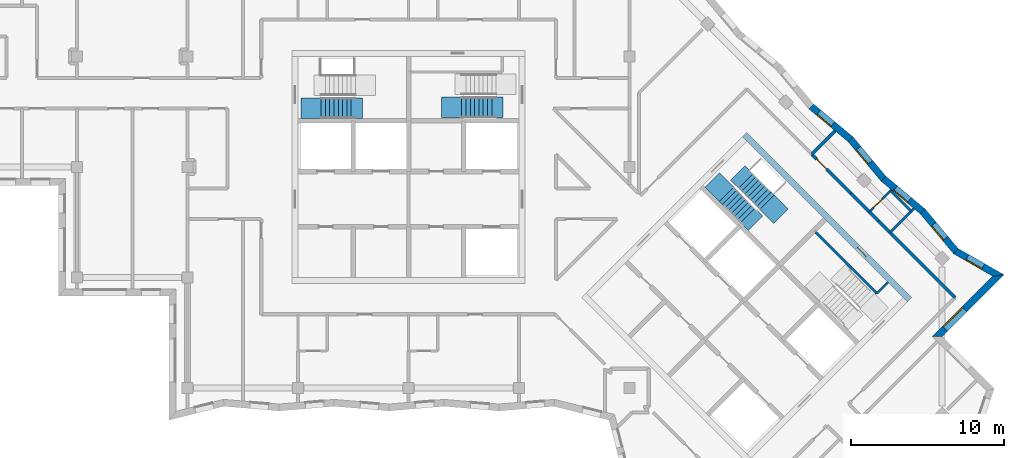
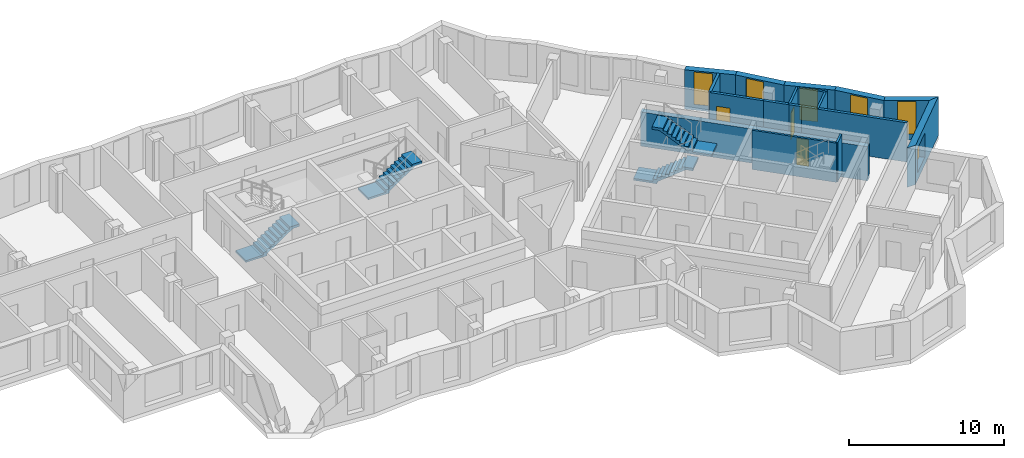
# One storey, part 8 of 13: 17 walls, 6 windows, 4 stair flights, 3 doors, 9 openings, 3 elements without a shape of their own.
"""IFC4 building model written with IfcOpenShell, lengths in metres."""

from ifc_helpers import new_model, si_unit, direction, frame, frame_2d, origin, place, context, subcontext, project, spatial, polyline, rectangle, outline, extrude, material, layer, layer_set, type_object, element, fill, aggregate, save


model = new_model("IFC4")

# Units and contexts
model_context = context("Model", 3, precision=1e-05, world=origin(), true_north=direction((0.0, 1.0)))
body_context = subcontext(model_context, "Body", "Model", "MODEL_VIEW")
ifc_project = project(units=[si_unit("LENGTHUNIT", "METRE"), si_unit("AREAUNIT", "SQUARE_METRE"), si_unit("VOLUMEUNIT", "CUBIC_METRE"), si_unit("PLANEANGLEUNIT", "RADIAN"), si_unit("MASSUNIT", "GRAM", prefix="KILO")], contexts=[model_context])

# Site, building, storey
site_placement = place(None, origin())
site = spatial("IfcSite", under=ifc_project, at=site_placement, CompositionType="ELEMENT")
building_placement = place(site_placement, origin())
building = spatial("IfcBuilding", under=site, at=building_placement, Name="Windrow Commons", CompositionType="ELEMENT")
storey_placement = place(building_placement, frame((0.0, 0.0, 243.8)))
storey = spatial("IfcBuildingStorey", under=building, at=storey_placement, Name="L66", CompositionType="ELEMENT", Elevation=243.8)

# Wall, opening, window
ifc_material_1 = material(Name="Brick masonry, red clay brick", Category="masonry")
ifc_layer_1 = layer(ifc_material_1, 0.45)
ifc_layer_set_1 = layer_set([ifc_layer_1], Name="Brick facade wall 450")
wall_type_1 = type_object("IfcWallType", Name="Brick facade wall 450", PredefinedType="SOLIDWALL", material=ifc_layer_set_1)
wall_1_placement = place(storey_placement, frame((99.2465, 46.5442, 0.0), z_axis=(0.0, 0.0, 1.0), x_axis=(0.7071067812, 0.7071067812, 0.0)))
wall_1 = element("IfcWall", 1, at=wall_1_placement, inside=storey, type_object=wall_type_1, Name="Brick facade wall L66 6", PredefinedType="SOLIDWALL", context=body_context, shape_type="SweptSolid", body=[
    extrude(outline(polyline([(0.225, -0.225), (5.925, -0.225), (5.3371, 0.225), (-0.225, 0.225), (0.225, -0.225)])), origin(), (0.0, 0.0, 1.0), 3.1),
])
opening_1_placement = place(wall_1_placement, frame((0.7125, 0.0, 0.6)))
opening_1 = element("IfcOpeningElement", 2, at=opening_1_placement, cuts=wall_1, Name="Opening W1L", PredefinedType="OPENING", context=body_context, shape_type="SweptSolid", body=[
    extrude(rectangle(XDim=1.8, YDim=1.9, at=frame_2d((0.9, 0.95))), frame((0.0, 0.235, 0.0), z_axis=(0.0, -1.0, 0.0), x_axis=(1.0, 0.0, 0.0)), (0.0, 0.0, 1.0), 0.47),
])
ifc_material_2 = material(Name="Clear float glass in anodised aluminium frame", Category="aluminium")
window_type_1 = type_object("IfcWindowType", Name="Window W1L bedroom 1800x1900", PartitioningType="SINGLE_PANEL", PredefinedType="WINDOW", material=ifc_material_2)
window_1_placement = place(opening_1_placement, origin())
window_1 = element("IfcWindow", 3, at=window_1_placement, inside=storey, type_object=window_type_1, Name="Window L66 6.1", OverallHeight=1.9, OverallWidth=1.8, PartitioningType="SINGLE_PANEL", PredefinedType="WINDOW", context=body_context, shape_type="SweptSolid", body=[
    extrude(rectangle(XDim=1.8, YDim=1.9, at=frame_2d((0.9, 0.95))), frame((0.0, 0.205, 0.0), z_axis=(0.0, -1.0, 0.0), x_axis=(1.0, 0.0, 0.0)), (0.0, 0.0, 1.0), 0.06),
])
fill(opening_1, window_1)

wall_2_placement = place(storey_placement, frame((103.2282, 50.5259, 0.0), z_axis=(0.0, 0.0, 1.0), x_axis=(-0.8672062632, 0.4979490909, 0.0)))
wall_2 = element("IfcWall", 4, at=wall_2_placement, inside=storey, type_object=wall_type_1, Name="Brick facade wall L66 7", PredefinedType="SOLIDWALL", context=body_context, shape_type="SweptSolid", body=[
    extrude(outline(polyline([(-0.294, -0.225), (3.1526, -0.225), (3.2331, 0.225), (0.294, 0.225), (-0.294, -0.225)])), origin(), (0.0, 0.0, 1.0), 3.1),
])
opening_2_placement = place(wall_2_placement, frame((1.1434, 0.0, 0.45)))
opening_2 = element("IfcOpeningElement", 5, at=opening_2_placement, cuts=wall_2, Name="Opening W7F", PredefinedType="OPENING", context=body_context, shape_type="SweptSolid", body=[
    extrude(rectangle(XDim=1.2, YDim=2.55, at=frame_2d((0.6, 1.275))), frame((0.0, 0.235, 0.0), z_axis=(0.0, -1.0, 0.0), x_axis=(1.0, 0.0, 0.0)), (0.0, 0.0, 1.0), 0.47),
])
ifc_material_3 = material(Name="Clear float glass in anodised aluminium frame", Category="aluminium")
window_type_2 = type_object("IfcWindowType", Name="Window W7 notch 1200x2550", PartitioningType="SINGLE_PANEL", PredefinedType="WINDOW", material=ifc_material_3)
window_2_placement = place(opening_2_placement, origin())
window_2 = element("IfcWindow", 6, at=window_2_placement, inside=storey, type_object=window_type_2, Name="Window L66 7.1", OverallHeight=2.55, OverallWidth=1.2, PartitioningType="SINGLE_PANEL", PredefinedType="WINDOW", context=body_context, shape_type="SweptSolid", body=[
    extrude(rectangle(XDim=1.2, YDim=2.55, at=frame_2d((0.6, 1.275))), frame((0.0, 0.205, 0.0), z_axis=(0.0, -1.0, 0.0), x_axis=(1.0, 0.0, 0.0)), (0.0, 0.0, 1.0), 0.06),
])
fill(opening_2, window_2)

wall_3_placement = place(storey_placement, frame((100.4593, 52.1158, 0.0), z_axis=(0.0, 0.0, 1.0), x_axis=(-0.640760852, 0.767740536, 0.0)))
wall_3 = element("IfcWall", 7, at=wall_3_placement, inside=storey, type_object=wall_type_1, Name="Brick facade wall L66 8", PredefinedType="SOLIDWALL", context=body_context, shape_type="SweptSolid", body=[
    extrude(outline(polyline([(0.0403, -0.225), (3.3807, -0.225), (3.3402, 0.225), (-0.0403, 0.225), (0.0403, -0.225)])), origin(), (0.0, 0.0, 1.0), 3.1),
])
opening_3_placement = place(wall_3_placement, frame((1.0701, 0.0, 0.45)))
opening_3 = element("IfcOpeningElement", 8, at=opening_3_placement, cuts=wall_3, Name="Opening W7F", PredefinedType="OPENING", context=body_context, shape_type="SweptSolid", body=[
    extrude(rectangle(XDim=1.2, YDim=2.55, at=frame_2d((0.6, 1.275))), frame((0.0, 0.235, 0.0), z_axis=(0.0, -1.0, 0.0), x_axis=(1.0, 0.0, 0.0)), (0.0, 0.0, 1.0), 0.47),
])
window_3_placement = place(opening_3_placement, origin())
window_3 = element("IfcWindow", 9, at=window_3_placement, inside=storey, type_object=window_type_2, Name="Window L66 8.1", OverallHeight=2.55, OverallWidth=1.2, PartitioningType="SINGLE_PANEL", PredefinedType="WINDOW", context=body_context, shape_type="SweptSolid", body=[
    extrude(rectangle(XDim=1.2, YDim=2.55, at=frame_2d((0.6, 1.275))), frame((0.0, 0.205, 0.0), z_axis=(0.0, -1.0, 0.0), x_axis=(1.0, 0.0, 0.0)), (0.0, 0.0, 1.0), 0.06),
])
fill(opening_3, window_3)

wall_4_placement = place(storey_placement, frame((98.3061, 54.6957, 0.0), z_axis=(0.0, 0.0, 1.0), x_axis=(-0.7677450318, 0.6407554652, 0.0)))
wall_4 = element("IfcWall", 10, at=wall_4_placement, inside=storey, type_object=wall_type_1, Name="Brick facade wall L66 9", PredefinedType="SOLIDWALL", context=body_context, shape_type="SweptSolid", body=[
    extrude(outline(polyline([(-0.0203, -0.225), (3.3202, -0.225), (3.3608, 0.225), (0.0203, 0.225), (-0.0203, -0.225)])), origin(), (0.0, 0.0, 1.0), 3.1),
])
opening_4_placement = place(wall_4_placement, frame((1.1444, 0.0, 0.45)))
opening_4 = element("IfcOpeningElement", 11, at=opening_4_placement, cuts=wall_4, Name="Opening W7F", PredefinedType="OPENING", context=body_context, shape_type="SweptSolid", body=[
    extrude(rectangle(XDim=1.2, YDim=2.55, at=frame_2d((0.6, 1.275))), frame((0.0, 0.235, 0.0), z_axis=(0.0, -1.0, 0.0), x_axis=(1.0, 0.0, 0.0)), (0.0, 0.0, 1.0), 0.47),
])
window_4_placement = place(opening_4_placement, origin())
window_4 = element("IfcWindow", 12, at=window_4_placement, inside=storey, type_object=window_type_2, Name="Window L66 9.1", OverallHeight=2.55, OverallWidth=1.2, PartitioningType="SINGLE_PANEL", PredefinedType="WINDOW", context=body_context, shape_type="SweptSolid", body=[
    extrude(rectangle(XDim=1.2, YDim=2.55, at=frame_2d((0.6, 1.275))), frame((0.0, 0.205, 0.0), z_axis=(0.0, -1.0, 0.0), x_axis=(1.0, 0.0, 0.0)), (0.0, 0.0, 1.0), 0.06),
])
fill(opening_4, window_4)

wall_5_placement = place(storey_placement, frame((95.7415, 56.8361, 0.0), z_axis=(0.0, 0.0, 1.0), x_axis=(-0.6407407387, 0.7677573222, 0.0)))
wall_5 = element("IfcWall", 13, at=wall_5_placement, inside=storey, type_object=wall_type_1, Name="Brick facade wall L66 10", PredefinedType="SOLIDWALL", context=body_context, shape_type="SweptSolid", body=[
    extrude(outline(polyline([(0.0203, -0.225), (3.3608, -0.225), (3.3202, 0.225), (-0.0203, 0.225), (0.0203, -0.225)])), origin(), (0.0, 0.0, 1.0), 3.1),
])
opening_5_placement = place(wall_5_placement, frame((1.3713, 0.0, 0.45)))
opening_5 = element("IfcOpeningElement", 14, at=opening_5_placement, cuts=wall_5, Name="Opening W7F", PredefinedType="OPENING", context=body_context, shape_type="SweptSolid", body=[
    extrude(rectangle(XDim=1.2, YDim=2.55, at=frame_2d((0.6, 1.275))), frame((0.0, 0.235, 0.0), z_axis=(0.0, -1.0, 0.0), x_axis=(1.0, 0.0, 0.0)), (0.0, 0.0, 1.0), 0.47),
])
window_5_placement = place(opening_5_placement, origin())
window_5 = element("IfcWindow", 15, at=window_5_placement, inside=storey, type_object=window_type_2, Name="Window L66 10.1", OverallHeight=2.55, OverallWidth=1.2, PartitioningType="SINGLE_PANEL", PredefinedType="WINDOW", context=body_context, shape_type="SweptSolid", body=[
    extrude(rectangle(XDim=1.2, YDim=2.55, at=frame_2d((0.6, 1.275))), frame((0.0, 0.205, 0.0), z_axis=(0.0, -1.0, 0.0), x_axis=(1.0, 0.0, 0.0)), (0.0, 0.0, 1.0), 0.06),
])
fill(opening_5, window_5)

wall_6_placement = place(storey_placement, frame((93.6011, 59.4008, 0.0), z_axis=(0.0, 0.0, 1.0), x_axis=(-0.7677573222, 0.6407407387, 0.0)))
wall_6 = element("IfcWall", 16, at=wall_6_placement, inside=storey, type_object=wall_type_1, Name="Brick facade wall L66 11", PredefinedType="SOLIDWALL", context=body_context, shape_type="SweptSolid", body=[
    extrude(outline(polyline([(-0.0203, -0.225), (3.3202, -0.225), (3.3608, 0.225), (0.0203, 0.225), (-0.0203, -0.225)])), origin(), (0.0, 0.0, 1.0), 3.1),
])
opening_6_placement = place(wall_6_placement, frame((1.5185, 0.0, 0.45)))
opening_6 = element("IfcOpeningElement", 17, at=opening_6_placement, cuts=wall_6, Name="Opening W7F", PredefinedType="OPENING", context=body_context, shape_type="SweptSolid", body=[
    extrude(rectangle(XDim=1.2, YDim=2.55, at=frame_2d((0.6, 1.275))), frame((0.0, 0.235, 0.0), z_axis=(0.0, -1.0, 0.0), x_axis=(1.0, 0.0, 0.0)), (0.0, 0.0, 1.0), 0.47),
])
window_6_placement = place(opening_6_placement, origin())
window_6 = element("IfcWindow", 18, at=window_6_placement, inside=storey, type_object=window_type_2, Name="Window L66 11.1", OverallHeight=2.55, OverallWidth=1.2, PartitioningType="SINGLE_PANEL", PredefinedType="WINDOW", context=body_context, shape_type="SweptSolid", body=[
    extrude(rectangle(XDim=1.2, YDim=2.55, at=frame_2d((0.6, 1.275))), frame((0.0, 0.205, 0.0), z_axis=(0.0, -1.0, 0.0), x_axis=(1.0, 0.0, 0.0)), (0.0, 0.0, 1.0), 0.06),
])
fill(opening_6, window_6)

# Wall
ifc_material_4 = material(Name="Blockwork partition", Category="masonry")
ifc_layer_2 = layer(ifc_material_4, 0.2)
ifc_layer_set_2 = layer_set([ifc_layer_2], Name="IW-CORRIDOR-200")
wall_type_2 = type_object("IfcWallType", Name="IW-CORRIDOR-200", PredefinedType="PARTITIONING", material=ifc_layer_set_2)
wall_7_placement = place(storey_placement, frame((95.4193, 54.0773, 0.0), z_axis=(0.0, 0.0, 1.0), x_axis=(0.7071067812, -0.7071067812, 0.0)))
element("IfcWall", 19, at=wall_7_placement, inside=storey, type_object=wall_type_2, Name="W-L66-W013", PredefinedType="PARTITIONING", context=body_context, shape_type="SweptSolid", body=[
    extrude(rectangle(XDim=7.0569, YDim=0.2, at=frame_2d((3.5284, 0.0))), origin(), (0.0, 0.0, 1.0), 3.1),
])

# Wall, opening, door
wall_8_placement = place(storey_placement, frame((91.0769, 58.4209, 0.0), z_axis=(0.0, 0.0, 1.0), x_axis=(0.7068288851, -0.7073845681, 0.0)))
wall_8 = element("IfcWall", 20, at=wall_8_placement, inside=storey, type_object=wall_type_2, Name="W-L66-W045", PredefinedType="PARTITIONING", context=body_context, shape_type="SweptSolid", body=[
    extrude(rectangle(XDim=3.5992, YDim=0.2, at=frame_2d((1.7996, 0.0))), origin(), (0.0, 0.0, 1.0), 3.1),
])
opening_7_placement = place(wall_8_placement, frame((0.4508, 0.0, 0.0)))
opening_7 = element("IfcOpeningElement", 21, at=opening_7_placement, cuts=wall_8, Name="Opening D109S", PredefinedType="OPENING", context=body_context, shape_type="SweptSolid", body=[
    extrude(rectangle(XDim=0.9, YDim=2.1, at=frame_2d((0.45, 1.05))), frame((0.0, 0.11, 0.0), z_axis=(0.0, -1.0, 0.0), x_axis=(1.0, 0.0, 0.0)), (0.0, 0.0, 1.0), 0.22),
])
ifc_material_5 = material(Name="Timber door leaf", Category="wood")
door_type_1 = type_object("IfcDoorType", Name="DT-BEDROOM-900", OperationType="SINGLE_SWING_LEFT", PredefinedType="DOOR", material=ifc_material_5)
door_1_placement = place(opening_7_placement, origin())
door_1 = element("IfcDoor", 22, at=door_1_placement, inside=storey, type_object=door_type_1, Name="D-L66-D029", OperationType="SINGLE_SWING_RIGHT", OverallHeight=2.1, OverallWidth=0.9, PredefinedType="DOOR", context=body_context, shape_type="SweptSolid", body=[
    extrude(rectangle(XDim=0.9, YDim=2.1, at=frame_2d((0.45, 1.05))), frame((0.0, 0.025, 0.0), z_axis=(0.0, -1.0, 0.0), x_axis=(1.0, 0.0, 0.0)), (0.0, 0.0, 1.0), 0.05),
])
fill(opening_7, door_1)

# Walls
wall_9_placement = place(storey_placement, frame((93.6228, 55.8768, 0.0), z_axis=(0.0, 0.0, 1.0), x_axis=(0.7076943229, -0.7065187509, 0.0)))
element("IfcWall", 23, at=wall_9_placement, inside=storey, type_object=wall_type_2, Name="W-L66-W089", PredefinedType="PARTITIONING", context=body_context, shape_type="SweptSolid", body=[
    extrude(rectangle(XDim=1.7013, YDim=0.2, at=frame_2d((0.8507, 0.0))), origin(), (0.0, 0.0, 1.0), 3.1),
])
wall_10_placement = place(storey_placement, frame((94.826, 54.674, 0.0), z_axis=(0.0, 0.0, 1.0), x_axis=(0.7059173694, -0.7082941956, 0.0)))
element("IfcWall", 24, at=wall_10_placement, inside=storey, type_object=wall_type_2, Name="W-L66-W107", PredefinedType="PARTITIONING", context=body_context, shape_type="SweptSolid", body=[
    extrude(rectangle(XDim=0.8415, YDim=0.2, at=frame_2d((0.4208, 0.0))), origin(), (0.0, 0.0, 1.0), 3.1),
])
ifc_material_6 = material(Name="Blockwork partition", Category="masonry")
ifc_layer_3 = layer(ifc_material_6, 0.15)
ifc_layer_set_3 = layer_set([ifc_layer_3], Name="IW-ENSUITE-150")
wall_type_3 = type_object("IfcWallType", Name="IW-ENSUITE-150", PredefinedType="PARTITIONING", material=ifc_layer_set_3)
wall_11_placement = place(storey_placement, frame((96.1693, 53.3327, 0.0), z_axis=(0.0, 0.0, 1.0), x_axis=(0.7071067812, 0.7071067812, 0.0)))
element("IfcWall", 25, at=wall_11_placement, inside=storey, type_object=wall_type_3, Name="W-L66-W071", PredefinedType="PARTITIONING", context=body_context, shape_type="SweptSolid", body=[
    extrude(rectangle(XDim=2.1995, YDim=0.15, at=frame_2d((1.0998, 0.0))), origin(), (0.0, 0.0, 1.0), 3.1),
])

# Wall, opening, door
wall_12_placement = place(storey_placement, frame((94.8268, 54.6772, 0.0), z_axis=(0.0, 0.0, 1.0), x_axis=(0.7070821111, 0.7071314504, 0.0)))
wall_12 = element("IfcWall", 26, at=wall_12_placement, inside=storey, type_object=wall_type_3, Name="W-L66-W081", PredefinedType="PARTITIONING", context=body_context, shape_type="SweptSolid", body=[
    extrude(rectangle(XDim=2.0268, YDim=0.15, at=frame_2d((1.0134, 0.0))), origin(), (0.0, 0.0, 1.0), 3.1),
])
opening_8_placement = place(wall_12_placement, frame((0.3825, 0.0, 0.0)))
opening_8 = element("IfcOpeningElement", 27, at=opening_8_placement, cuts=wall_12, Name="Opening D208N", PredefinedType="OPENING", context=body_context, shape_type="SweptSolid", body=[
    extrude(rectangle(XDim=0.8, YDim=2.1, at=frame_2d((0.4, 1.05))), frame((0.0, 0.085, 0.0), z_axis=(0.0, -1.0, 0.0), x_axis=(1.0, 0.0, 0.0)), (0.0, 0.0, 1.0), 0.17),
])
ifc_material_7 = material(Name="Timber door leaf", Category="wood")
door_type_2 = type_object("IfcDoorType", Name="DT-ENSUITE-800", OperationType="SINGLE_SWING_LEFT", PredefinedType="DOOR", material=ifc_material_7)
door_2_placement = place(opening_8_placement, origin())
door_2 = element("IfcDoor", 28, at=door_2_placement, inside=storey, type_object=door_type_2, Name="D-L66-D030", OperationType="SINGLE_SWING_RIGHT", OverallHeight=2.1, OverallWidth=0.8, PredefinedType="DOOR", context=body_context, shape_type="SweptSolid", body=[
    extrude(rectangle(XDim=0.8, YDim=2.1, at=frame_2d((0.4, 1.05))), frame((0.0, 0.025, 0.0), z_axis=(0.0, -1.0, 0.0), x_axis=(1.0, 0.0, 0.0)), (0.0, 0.0, 1.0), 0.05),
])
fill(opening_8, door_2)

# Walls
wall_13_placement = place(storey_placement, frame((96.2222, 56.0342, 0.0), z_axis=(0.0, 0.0, 1.0), x_axis=(0.7076402451, -0.7065729145, 0.0)))
element("IfcWall", 29, at=wall_13_placement, inside=storey, type_object=wall_type_3, Name="W-L66-W088", PredefinedType="PARTITIONING", context=body_context, shape_type="SweptSolid", body=[
    extrude(rectangle(XDim=1.8738, YDim=0.15, at=frame_2d((0.9369, 0.0))), origin(), (0.0, 0.0, 1.0), 3.1),
])
ifc_material_8 = material(Name="Blockwork partition", Category="masonry")
ifc_layer_4 = layer(ifc_material_8, 0.2)
ifc_layer_set_4 = layer_set([ifc_layer_4], Name="IW-PARTY-200")
wall_type_4 = type_object("IfcWallType", Name="IW-PARTY-200", PredefinedType="PARTITIONING", material=ifc_layer_set_4)
wall_14_placement = place(storey_placement, frame((91.0791, 58.4249, 0.0), z_axis=(0.0, 0.0, 1.0), x_axis=(0.7071067812, 0.7071067812, 0.0)))
element("IfcWall", 30, at=wall_14_placement, inside=storey, type_object=wall_type_4, Name="W-L66-W072", PredefinedType="PARTITIONING", context=body_context, shape_type="SweptSolid", body=[
    extrude(rectangle(XDim=2.1489, YDim=0.2, at=frame_2d((1.0744, 0.0))), origin(), (0.0, 0.0, 1.0), 3.1),
])

# Wall, opening, door
ifc_material_9 = material(Name="Concrete C40/50", Category="concrete")
ifc_layer_5 = layer(ifc_material_9, 0.4)
ifc_layer_set_5 = layer_set([ifc_layer_5], Name="RC CORE WALL 400 C40/50")
wall_type_5 = type_object("IfcWallType", Name="RC CORE WALL 400 C40/50", PredefinedType="SHEAR", material=ifc_layer_set_5)
wall_15_placement = place(storey_placement, frame((86.6953, 59.6963, -0.3), z_axis=(0.0, 0.0, 1.0), x_axis=(0.7071100706, -0.7071034917, 0.0)))
wall_15 = element("IfcWall", 31, at=wall_15_placement, inside=storey, type_object=wall_type_5, Name="Core B wall outer-N", PredefinedType="SHEAR", context=body_context, shape_type="SweptSolid", body=[
    extrude(rectangle(XDim=15.2, YDim=0.4, at=frame_2d((7.6, 0.0))), origin(), (0.0, 0.0, 1.0), 2.7),
])
opening_9_placement = place(wall_15_placement, frame((10.4, 0.0, 0.3)))
opening_9 = element("IfcOpeningElement", 32, at=opening_9_placement, cuts=wall_15, Name="Opening D9", PredefinedType="OPENING", context=body_context, shape_type="SweptSolid", body=[
    extrude(rectangle(XDim=0.8, YDim=2.1, at=frame_2d((0.4, 1.05))), frame((0.0, 0.21, 0.0), z_axis=(0.0, -1.0, 0.0), x_axis=(1.0, 0.0, 0.0)), (0.0, 0.0, 1.0), 0.42),
])
ifc_material_10 = material(Name="Steel fire door leaf", Category="steel")
door_type_3 = type_object("IfcDoorType", Name="Riser access door 800", OperationType="SINGLE_SWING_LEFT", PredefinedType="DOOR", material=ifc_material_10)
door_3_placement = place(opening_9_placement, origin())
door_3 = element("IfcDoor", 33, at=door_3_placement, inside=storey, type_object=door_type_3, Name="Riser access door", OperationType="SINGLE_SWING_RIGHT", OverallHeight=2.1, OverallWidth=0.8, PredefinedType="DOOR", context=body_context, shape_type="SweptSolid", body=[
    extrude(rectangle(XDim=0.8, YDim=2.1, at=frame_2d((0.4, 1.05))), frame((0.0, 0.025, 0.0), z_axis=(0.0, -1.0, 0.0), x_axis=(1.0, 0.0, 0.0)), (0.0, 0.0, 1.0), 0.05),
])
fill(opening_9, door_3)

# Walls
ifc_material_11 = material(Name="Blockwork partition", Category="masonry")
ifc_layer_6 = layer(ifc_material_11, 0.15)
ifc_layer_set_6 = layer_set([ifc_layer_6], Name="Riser partition 150")
wall_type_6 = type_object("IfcWallType", Name="Riser partition 150", PredefinedType="PARTITIONING", material=ifc_layer_set_6)
wall_16_placement = place(storey_placement, frame((91.3127, 53.3536, 0.0), z_axis=(0.0, 0.0, 1.0), x_axis=(0.7071067812, -0.7071067812, 0.0)))
element("IfcWall", 34, at=wall_16_placement, inside=storey, type_object=wall_type_6, Name="W-core-strip-B-L66", PredefinedType="PARTITIONING", context=body_context, shape_type="SweptSolid", body=[
    extrude(rectangle(XDim=5.6501, YDim=0.15, at=frame_2d((2.8251, 0.0))), origin(), (0.0, 0.0, 1.0), 3.1),
])
wall_17_placement = place(storey_placement, frame((95.3079, 49.3584, 0.0), z_axis=(0.0, 0.0, 1.0), x_axis=(0.70705776, 0.707155799, 0.0)))
element("IfcWall", 35, at=wall_17_placement, inside=storey, type_object=wall_type_6, Name="W-core-stripx-B-L66-1", PredefinedType="PARTITIONING", context=body_context, shape_type="SweptSolid", body=[
    extrude(rectangle(XDim=1.02, YDim=0.15, at=frame_2d((0.51, 0.0))), origin(), (0.0, 0.0, 1.0), 3.1),
])

# Stair, stair flight
ifc_material_12 = material(Name="Concrete C40/50", Category="concrete")
stair_type = type_object("IfcStairType", Name="Core stair", PredefinedType="HALF_TURN_STAIR", material=ifc_material_12)
placement = place(storey_placement, origin())
stair_1 = element("IfcStair", 36, at=placement, inside=storey, type_object=stair_type, Name="L66 Exit stair A1 core A", PredefinedType="HALF_TURN_STAIR")
ifc_material_13 = material(Name="Concrete C40/50", Category="concrete")
stair_flight_type = type_object("IfcStairFlightType", Name="Core stair flight", PredefinedType="STRAIGHT", material=ifc_material_13)
stair_flight_1_placement = place(storey_placement, frame((59.1, 61.425, 0.0), z_axis=(0.0, 0.0, 1.0), x_axis=(1.0, 0.0, 0.0)))
stair_flight_1 = element("IfcStairFlight", 37, at=stair_flight_1_placement, type_object=stair_flight_type, Name="ST-A1 flight 1", NumberOfRisers=9, NumberOfTreads=8, PredefinedType="STRAIGHT", RiserHeight=0.188888889, TreadLength=0.28, context=body_context, shape_type="SweptSolid", body=[
    extrude(outline(polyline([(-1.3, -0.15), (-1.3, 0.0), (0.0, 0.0), (0.0, 0.1889), (0.28, 0.1889), (0.28, 0.3778), (0.56, 0.3778), (0.56, 0.5667), (0.84, 0.5667), (0.84, 0.7556), (1.12, 0.7556), (1.12, 0.9444), (1.4, 0.9444), (1.4, 1.1333), (1.68, 1.1333), (1.68, 1.3222), (1.96, 1.3222), (1.96, 1.5111), (2.24, 1.5111), (2.69, 1.5111), (2.69, 1.3111), (2.24, 1.3111), (2.24, 1.3302), (0.2682, 0.0), (0.2682, -0.15), (-1.3, -0.15)])), frame((0.0, 0.675, 0.0), z_axis=(0.0, -1.0, 0.0), x_axis=(1.0, 0.0, 0.0)), (0.0, 0.0, 1.0), 1.35),
])
aggregate(stair_1, [stair_flight_1])

stair_2 = element("IfcStair", 38, at=placement, inside=storey, type_object=stair_type, Name="L66 Exit stair A2 core A", PredefinedType="HALF_TURN_STAIR")
stair_flight_2_placement = place(storey_placement, frame((68.26, 61.48, 1.7), z_axis=(0.0, 0.0, 1.0), x_axis=(1.0, 0.0, 0.0)))
stair_flight_2 = element("IfcStairFlight", 39, at=stair_flight_2_placement, type_object=stair_flight_type, Name="ST-A2 flight 2", NumberOfRisers=9, NumberOfTreads=8, PredefinedType="STRAIGHT", RiserHeight=0.188888889, TreadLength=0.28, context=body_context, shape_type="SweptSolid", body=[
    extrude(outline(polyline([(-1.3, -0.15), (-1.3, 0.0), (0.0, 0.0), (0.0, 0.1889), (0.28, 0.1889), (0.28, 0.3778), (0.56, 0.3778), (0.56, 0.5667), (0.84, 0.5667), (0.84, 0.7556), (1.12, 0.7556), (1.12, 0.9444), (1.4, 0.9444), (1.4, 1.1333), (1.68, 1.1333), (1.68, 1.3222), (1.96, 1.3222), (1.96, 1.5111), (2.24, 1.5111), (2.69, 1.5111), (2.69, 1.3111), (2.24, 1.3111), (2.24, 1.3302), (0.2682, 0.0), (0.2682, -0.15), (-1.3, -0.15)])), frame((0.0, 0.675, 0.0), z_axis=(0.0, -1.0, 0.0), x_axis=(1.0, 0.0, 0.0)), (0.0, 0.0, 1.0), 1.35),
])
aggregate(stair_2, [stair_flight_2])

# Stair, stair flights
stair_3 = element("IfcStair", 40, at=placement, inside=storey, type_object=stair_type, Name="L66 Exit stair B1 core B", PredefinedType="HALF_TURN_STAIR")
stair_flight_3_placement = place(storey_placement, frame((85.5109, 55.8249, 0.0), z_axis=(0.0, 0.0, 1.0), x_axis=(0.7071067812, -0.7071067812, 0.0)))
stair_flight_3 = element("IfcStairFlight", 41, at=stair_flight_3_placement, type_object=stair_flight_type, Name="ST-B1 flight 1", NumberOfRisers=9, NumberOfTreads=8, PredefinedType="STRAIGHT", RiserHeight=0.188888889, TreadLength=0.28, context=body_context, shape_type="SweptSolid", body=[
    extrude(outline(polyline([(-1.3, -0.15), (-1.3, 0.0), (0.0, 0.0), (0.0, 0.1889), (0.28, 0.1889), (0.28, 0.3778), (0.56, 0.3778), (0.56, 0.5667), (0.84, 0.5667), (0.84, 0.7556), (1.12, 0.7556), (1.12, 0.9444), (1.4, 0.9444), (1.4, 1.1333), (1.68, 1.1333), (1.68, 1.3222), (1.96, 1.3222), (1.96, 1.5111), (2.24, 1.5111), (2.69, 1.5111), (2.69, 1.3111), (2.24, 1.3111), (2.24, 1.3302), (0.2682, 0.0), (0.2682, -0.15), (-1.3, -0.15)])), frame((0.0, 0.675, 0.0), z_axis=(0.0, -1.0, 0.0), x_axis=(1.0, 0.0, 0.0)), (0.0, 0.0, 1.0), 1.35),
])
stair_flight_4_placement = place(storey_placement, frame((88.1555, 55.3017, 1.7), z_axis=(0.0, 0.0, 1.0), x_axis=(-0.7071067812, 0.7071067812, 0.0)))
stair_flight_4 = element("IfcStairFlight", 42, at=stair_flight_4_placement, type_object=stair_flight_type, Name="ST-B1 flight 2", NumberOfRisers=9, NumberOfTreads=8, PredefinedType="STRAIGHT", RiserHeight=0.188888889, TreadLength=0.28, context=body_context, shape_type="SweptSolid", body=[
    extrude(outline(polyline([(-1.3, -0.15), (-1.3, 0.0), (0.0, 0.0), (0.0, 0.1889), (0.28, 0.1889), (0.28, 0.3778), (0.56, 0.3778), (0.56, 0.5667), (0.84, 0.5667), (0.84, 0.7556), (1.12, 0.7556), (1.12, 0.9444), (1.4, 0.9444), (1.4, 1.1333), (1.68, 1.1333), (1.68, 1.3222), (1.96, 1.3222), (1.96, 1.5111), (2.24, 1.5111), (2.69, 1.5111), (2.69, 1.3111), (2.24, 1.3111), (2.24, 1.3302), (0.2682, 0.0), (0.2682, -0.15), (-1.3, -0.15)])), frame((0.0, 0.675, 0.0), z_axis=(0.0, -1.0, 0.0), x_axis=(1.0, 0.0, 0.0)), (0.0, 0.0, 1.0), 1.35),
])
aggregate(stair_3, [stair_flight_3, stair_flight_4])

save(model, "model.ifc")
